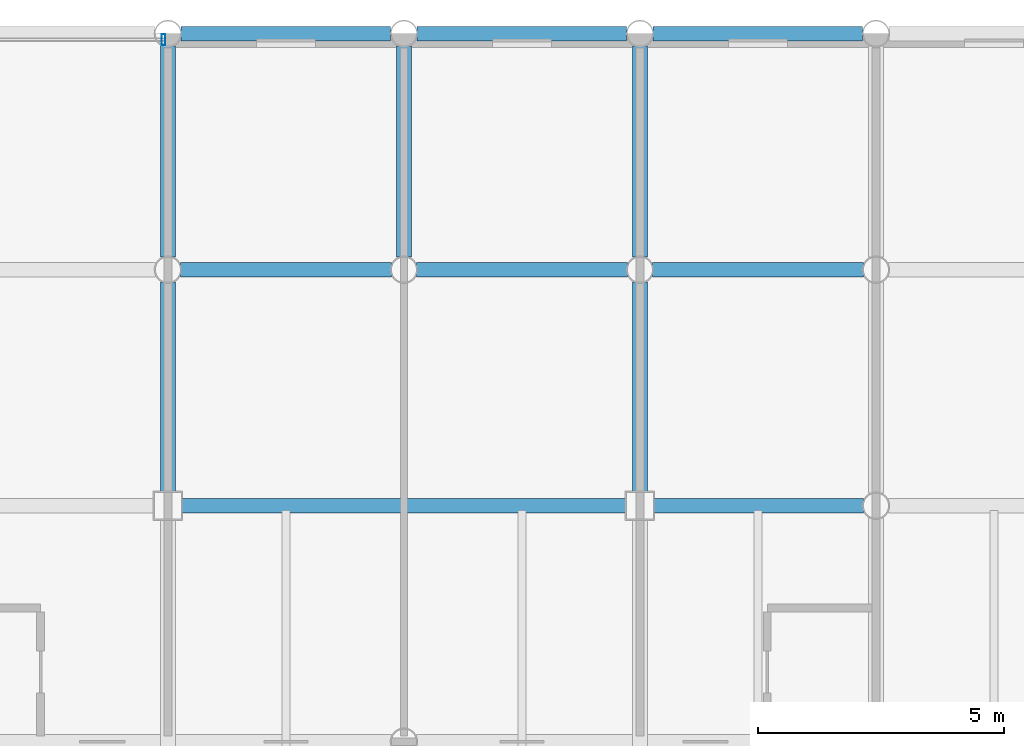
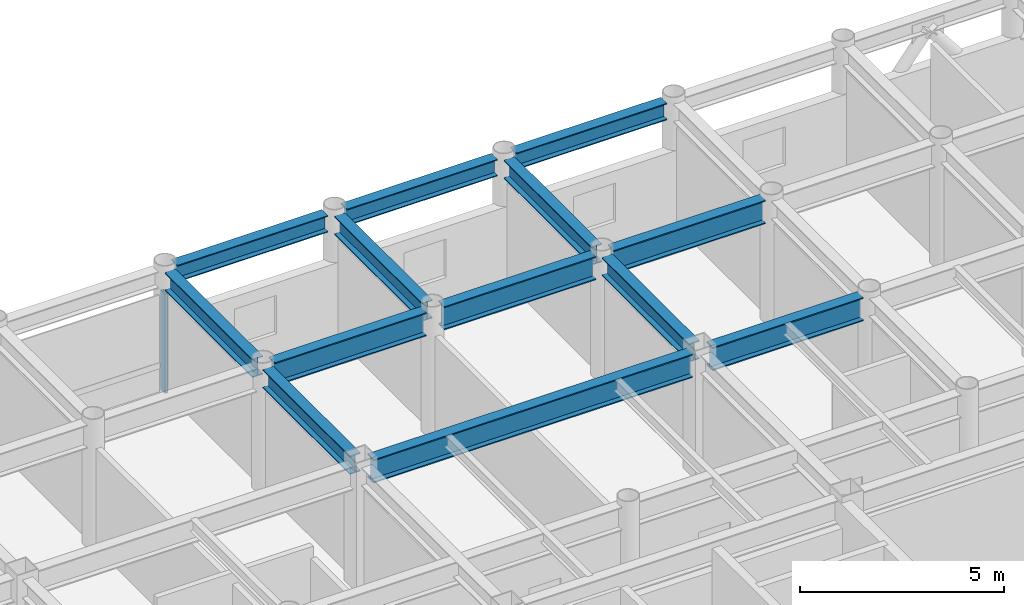
# One storey, part 15 of 23: 13 beams, 1 member, 1 element without a shape of its own.
"""IFC4 building model written with IfcOpenShell, lengths in metres."""

import ifcopenshell
import ifcopenshell.guid

model = None  # the IFC model being written
_history = None  # IfcOwnerHistory: only IFC2X3 demands one
_inside = {}  # id of a spatial element -> (the spatial element, [elements in it])
_under = {}  # id of a project, library or spatial element -> (it, [spatial elements below it])
_declared = {}  # id of a project -> (the project, [libraries it declares])
_typed = {}  # id of a type object -> (the type object, [elements of that type])
_made_of = {}  # id of a material, layer set ... -> (it, [elements and type objects made of it])


def new_model(schema):
    """Start an empty IFC model of exactly this schema.

    Asked for "IFC4X3", IfcOpenShell would pick the latest addendum, in which some entities
    have other attributes; the version numbers below select the first issue.
    IFC2X3 requires an IfcOwnerHistory on every rooted entity: one is made here for all.
    """
    global model, _history
    if schema == "IFC4X3":
        model = ifcopenshell.file(schema_version=(4, 3, 0, 0))
    else:
        model = ifcopenshell.file(schema=schema)
    _inside.clear()
    _under.clear()
    _declared.clear()
    _typed.clear()
    _made_of.clear()
    _history = None
    if model.schema == "IFC2X3":
        org = make("IfcOrganization", Name="unknown")
        user = make(
            "IfcPersonAndOrganization",
            ThePerson=make("IfcPerson", FamilyName="unknown"),
            TheOrganization=org,
        )
        app = make(
            "IfcApplication",
            ApplicationDeveloper=org,
            Version="unknown",
            ApplicationFullName="unknown",
            ApplicationIdentifier="unknown",
        )
        _history = make(
            "IfcOwnerHistory",
            OwningUser=user,
            OwningApplication=app,
            ChangeAction="ADDED",
            CreationDate=0,
        )
    return model


def make(cls, **values):
    """One entity of the class cls with the attributes given. An attribute that is None is left unset."""
    return model.create_entity(
        cls, **{name: value for name, value in values.items() if value is not None}
    )


def rooted(cls, **values):
    """An entity with a GlobalId (a new one), such as an element, a storey or a relation."""
    return make(cls, GlobalId=ifcopenshell.guid.new(), OwnerHistory=_history, **values)


def si_unit(unit_type, name, prefix=None):
    """IfcSIUnit, for example si_unit("LENGTHUNIT", "METRE", prefix="MILLI")."""
    return make("IfcSIUnit", UnitType=unit_type, Prefix=prefix, Name=name)


def assignment(units):
    """IfcUnitAssignment: the units of a project."""
    return None if units is None else make("IfcUnitAssignment", Units=units)


def point(xyz):
    """IfcCartesianPoint."""
    return None if xyz is None else make("IfcCartesianPoint", Coordinates=xyz)


def direction(xyz):
    """IfcDirection."""
    return None if xyz is None else make("IfcDirection", DirectionRatios=xyz)


def frame(location, z_axis=None, x_axis=None):
    """IfcAxis2Placement3D, a coordinate frame: its origin and axes. An axis left out is left unset."""
    return make(
        "IfcAxis2Placement3D",
        Location=point(location),
        Axis=direction(z_axis),
        RefDirection=direction(x_axis),
    )


def frame_2d(location, x_axis=None):
    """IfcAxis2Placement2D, a coordinate frame in the plane: its origin and x axis."""
    return make(
        "IfcAxis2Placement2D", Location=point(location), RefDirection=direction(x_axis)
    )


def origin():
    """The frame at (0, 0, 0) with its axes left unset."""
    return frame((0.0, 0.0, 0.0))


def origin_2d():
    """The frame at (0, 0) in the plane with its x axis left unset."""
    return frame_2d((0.0, 0.0))


def place(relative_to, where):
    """IfcLocalPlacement: puts the frame where relative to a parent placement (None: the world)."""
    return make(
        "IfcLocalPlacement", PlacementRelTo=relative_to, RelativePlacement=where
    )


def context(
    kind, dimensions, precision=None, world=None, true_north=None, identifier=None
):
    """IfcGeometricRepresentationContext, for example the 3D "Model" context."""
    return make(
        "IfcGeometricRepresentationContext",
        ContextIdentifier=identifier,
        ContextType=kind,
        CoordinateSpaceDimension=dimensions,
        Precision=precision,
        WorldCoordinateSystem=world,
        TrueNorth=true_north,
    )


def subcontext(parent, identifier, kind, view, scale=None):
    """IfcGeometricRepresentationSubContext, for example "Body" below "Model"."""
    return make(
        "IfcGeometricRepresentationSubContext",
        ContextIdentifier=identifier,
        ContextType=kind,
        ParentContext=parent,
        TargetScale=scale,
        TargetView=view,
    )


def project(units=None, contexts=None):
    """IfcProject with its units and contexts."""
    return rooted(
        "IfcProject",
        Name="project",
        RepresentationContexts=contexts,
        UnitsInContext=assignment(units),
    )


def spatial(cls, under=None, at=None, **own):
    """A site, building, storey or space (cls), placed at a placement, below another one or the project."""
    s = rooted(cls, ObjectPlacement=at, **own)
    if under is not None:
        _under.setdefault(under.id(), (under, []))[1].append(s)
    return s


def profile(cls, at=None, kind="AREA", **sizes):
    """A parametric profile (cls). Its sizes go by their IFC names, for example OverallWidth=200.0."""
    return make(cls, ProfileType=kind, Position=at, **sizes)


def hollow_rectangle(**sizes):
    """IfcRectangleHollowProfileDef."""
    return profile("IfcRectangleHollowProfileDef", **sizes)


def i_section(**sizes):
    """IfcIShapeProfileDef."""
    return profile("IfcIShapeProfileDef", **sizes)


def extrude(swept, where, along, depth):
    """IfcExtrudedAreaSolid: the profile swept, set in the frame where, extruded along a direction by depth."""
    return make(
        "IfcExtrudedAreaSolid",
        SweptArea=swept,
        Position=where,
        ExtrudedDirection=direction(along),
        Depth=depth,
    )


def shape(context_of_items, identifier, shape_type, items):
    """IfcShapeRepresentation: the items that make up one representation, for example the "Body"."""
    return make(
        "IfcShapeRepresentation",
        ContextOfItems=context_of_items,
        RepresentationIdentifier=identifier,
        RepresentationType=shape_type,
        Items=items,
    )


def material(Name=None, Category=None):
    """IfcMaterial."""
    return make("IfcMaterial", Name=Name, Category=Category)


def layer(
    of_material, thickness, ventilated=None, Name=None, Category=None, Priority=None
):
    """IfcMaterialLayer: one layer of a wall or slab, of a material (None: an air gap)."""
    return make(
        "IfcMaterialLayer",
        Material=of_material,
        LayerThickness=thickness,
        IsVentilated=ventilated,
        Name=Name,
        Category=Category,
        Priority=Priority,
    )


def layer_set(layers, Name=None):
    """IfcMaterialLayerSet."""
    return make("IfcMaterialLayerSet", MaterialLayers=layers, LayerSetName=Name)


def material_profile(
    of_material, cross_section, Name=None, Category=None, Priority=None
):
    """IfcMaterialProfile: a cross section and its material."""
    return make(
        "IfcMaterialProfile",
        Name=Name,
        Material=of_material,
        Profile=cross_section,
        Priority=Priority,
        Category=Category,
    )


def profile_set(profiles, Name=None, composite=None):
    """IfcMaterialProfileSet."""
    return make(
        "IfcMaterialProfileSet",
        Name=Name,
        MaterialProfiles=profiles,
        CompositeProfile=composite,
    )


def made_of(thing, what):
    """Note that an element or type object is made of a material, layer set ...; save() writes the relation."""
    if what is not None:
        _made_of.setdefault(what.id(), (what, []))[1].append(thing)
    return thing


def type_object(cls, material=None, **own):
    """A type object (cls), such as IfcWallType, which elements share."""
    return made_of(rooted(cls, **own), material)


def element(
    cls,
    number,
    at=None,
    inside=None,
    cuts=None,
    type_object=None,
    material=None,
    context=None,
    identifier="Body",
    shape_type=None,
    held_by="IfcProductDefinitionShape",
    body=None,
    shapes=None,
    **own,
):
    """One element of the class cls, such as IfcWall. Its Tag is "e" and its number.

    at: its placement. inside: the storey or other place that contains it. cuts: it is an
    opening in that element (IfcRelVoidsElement). A single representation is given by context,
    identifier, shape_type and body (its items); several are given by shapes. held_by: the class
    of the entity that holds the representations. save() writes the other relations.
    """
    e = rooted(cls, Tag="e%d" % number, ObjectPlacement=at, **own)
    if body is not None:
        shapes = [shape(context, identifier, shape_type, body)]
    if shapes is not None:
        e.Representation = make(held_by, Representations=shapes)
    if inside is not None:
        _inside.setdefault(inside.id(), (inside, []))[1].append(e)
    if cuts is not None:
        rooted(
            "IfcRelVoidsElement", RelatingBuildingElement=cuts, RelatedOpeningElement=e
        )
    if type_object is not None:
        _typed.setdefault(type_object.id(), (type_object, []))[1].append(e)
    return made_of(e, material)


def aggregate(whole, parts):
    """IfcRelAggregates: a whole, such as a stair, and the parts it consists of."""
    return rooted("IfcRelAggregates", RelatingObject=whole, RelatedObjects=parts)


def save(model, path):
    """Write the relations noted so far, then the file.

    IfcRelAggregates (storeys below a building ...), IfcRelContainedInSpatialStructure (elements
    in a storey), IfcRelDefinesByType, IfcRelAssociatesMaterial and IfcRelDeclares: one each for
    every whole, place, type object, material and project.
    """
    for whole, parts in _under.values():
        aggregate(whole, parts)
    for where, things in _inside.values():
        rooted(
            "IfcRelContainedInSpatialStructure",
            RelatedElements=things,
            RelatingStructure=where,
        )
    for kind, things in _typed.values():
        rooted("IfcRelDefinesByType", RelatedObjects=things, RelatingType=kind)
    for what, things in _made_of.values():
        rooted("IfcRelAssociatesMaterial", RelatedObjects=things, RelatingMaterial=what)
    for by, libraries in _declared.values():
        rooted("IfcRelDeclares", RelatingContext=by, RelatedDefinitions=libraries)
    model.write(path)


model = new_model("IFC4")

# Units and contexts
model_context = context("Model", 3, precision=1e-05, world=origin(), true_north=direction((0.0, 1.0)))
body_context = subcontext(model_context, "Body", "Model", "MODEL_VIEW")
ifc_project = project(units=[si_unit("LENGTHUNIT", "METRE"), si_unit("AREAUNIT", "SQUARE_METRE"), si_unit("VOLUMEUNIT", "CUBIC_METRE"), si_unit("PLANEANGLEUNIT", "RADIAN"), si_unit("MASSUNIT", "GRAM", prefix="KILO")], contexts=[model_context])

# Site, building, storey
site_placement = place(None, origin())
site = spatial("IfcSite", under=ifc_project, at=site_placement, CompositionType="ELEMENT")
building_placement = place(site_placement, origin())
building = spatial("IfcBuilding", under=site, at=building_placement, Name="Kallvorn Hotel Tower", CompositionType="ELEMENT")
storey_placement = place(building_placement, frame((0.0, 0.0, 237.699951171875)))
storey = spatial("IfcBuildingStorey", under=building, at=storey_placement, Name="L59", CompositionType="ELEMENT", Elevation=237.699951171875)

# Beams
ifc_material_1 = material(Name="Structural steel S355JR", Category="steel")
ifc_material_profile_1 = material_profile(ifc_material_1, i_section(OverallWidth=0.300048828125, OverallDepth=0.5, WebThickness=0.014404296875, FlangeThickness=0.028076171875, at=origin_2d()), Name="HE 500 B")
ifc_profile_set_1 = profile_set([ifc_material_profile_1], Name="Structural steel S355JR")
beam_type_1 = type_object("IfcBeamType", Name="BM_HE500B", PredefinedType="SPANDREL", material=ifc_profile_set_1)
beam_1_placement = place(storey_placement, frame((5.069580078125, 24.0, 3.420166015625), z_axis=(1.0, 0.0, 0.0), x_axis=(0.0, 1.0, 0.0)))
element("IfcBeam", 1, at=beam_1_placement, inside=storey, type_object=beam_type_1, Name="L60 Perimeter Spandrel 169", PredefinedType="SPANDREL", context=body_context, shape_type="SweptSolid", body=[
    extrude(i_section(OverallWidth=0.300048828125, OverallDepth=0.5, WebThickness=0.014404296875, FlangeThickness=0.028076171875, at=origin_2d()), origin(), (0.0, 0.0, 1.0), 4.260986328125),
])
beam_2_placement = place(storey_placement, frame((9.869384765625, 24.0, 3.420166015625), z_axis=(1.0, 0.0, 0.0), x_axis=(0.0, 1.0, 0.0)))
element("IfcBeam", 2, at=beam_2_placement, inside=storey, type_object=beam_type_1, Name="L60 Perimeter Spandrel 170", PredefinedType="SPANDREL", context=body_context, shape_type="SweptSolid", body=[
    extrude(i_section(OverallWidth=0.300048828125, OverallDepth=0.5, WebThickness=0.014404296875, FlangeThickness=0.028076171875, at=origin_2d()), origin(), (0.0, 0.0, 1.0), 4.26123046875),
])
beam_3_placement = place(storey_placement, frame((14.66943359375, 24.0, 3.420166015625), z_axis=(1.0, 0.0, 0.0), x_axis=(0.0, 1.0, 0.0)))
element("IfcBeam", 3, at=beam_3_placement, inside=storey, type_object=beam_type_1, Name="L60 Perimeter Spandrel 171", PredefinedType="SPANDREL", context=body_context, shape_type="SweptSolid", body=[
    extrude(i_section(OverallWidth=0.300048828125, OverallDepth=0.5, WebThickness=0.014404296875, FlangeThickness=0.028076171875, at=origin_2d()), origin(), (0.0, 0.0, 1.0), 4.260986328125),
])
ifc_material_2 = material(Name="Structural steel S355JR", Category="steel")
ifc_material_profile_2 = material_profile(ifc_material_2, i_section(OverallWidth=0.300048828125, OverallDepth=0.550048828125, WebThickness=0.014892578125, FlangeThickness=0.029052734375, at=origin_2d()), Name="HE 550 B")
ifc_profile_set_2 = profile_set([ifc_material_profile_2], Name="Structural steel S355JR")
beam_type_2 = type_object("IfcBeamType", Name="BM_HE550B", PredefinedType="SPANDREL", material=ifc_profile_set_2)
beam_4_placement = place(storey_placement, frame((4.800048828125, 14.675048828125, 3.39501953125), z_axis=(0.0, 1.0, 0.0), x_axis=(-1.0, 0.0, 0.0)))
element("IfcBeam", 4, at=beam_4_placement, inside=storey, type_object=beam_type_2, Name="L60 Primary Y-Girder 116", PredefinedType="SPANDREL", context=body_context, shape_type="SweptSolid", body=[
    extrude(i_section(OverallWidth=0.300048828125, OverallDepth=0.550048828125, WebThickness=0.014892578125, FlangeThickness=0.029052734375, at=origin_2d()), origin(), (0.0, 0.0, 1.0), 4.2705078125),
])
for number, where, z_axis, x_axis, name in (
    (5, (4.800048828125, 19.45458984375, 3.39501953125), (0.0, 1.0, 0.0), (-1.0, 0.0, 0.0), "L60 Primary Y-Girder 117"),
    (6, (9.60009765625, 19.45458984375, 3.39501953125), (0.0, 1.0, 0.0), (-1.0, 0.0, 0.0), "L60 Primary Y-Girder 120"),
):
    element("IfcBeam", number, at=place(storey_placement, frame(where, z_axis=z_axis, x_axis=x_axis)), inside=storey, type_object=beam_type_2, Name=name, PredefinedType="SPANDREL", context=body_context, shape_type="SweptSolid", body=[
        extrude(i_section(OverallWidth=0.300048828125, OverallDepth=0.550048828125, WebThickness=0.014892578125, FlangeThickness=0.029052734375, at=origin_2d()), origin(), (0.0, 0.0, 1.0), 4.291015625),
    ])
beam_5_placement = place(storey_placement, frame((14.39990234375, 14.675048828125, 3.39501953125), z_axis=(0.0, 1.0, 0.0), x_axis=(-1.0, 0.0, 0.0)))
element("IfcBeam", 7, at=beam_5_placement, inside=storey, type_object=beam_type_2, Name="L60 Primary Y-Girder 124", PredefinedType="SPANDREL", context=body_context, shape_type="SweptSolid", body=[
    extrude(i_section(OverallWidth=0.300048828125, OverallDepth=0.550048828125, WebThickness=0.014892578125, FlangeThickness=0.029052734375, at=origin_2d()), origin(), (0.0, 0.0, 1.0), 4.2705078125),
])
beam_6_placement = place(storey_placement, frame((14.39990234375, 19.45458984375, 3.39501953125), z_axis=(0.0, 1.0, 0.0), x_axis=(-1.0, 0.0, 0.0)))
element("IfcBeam", 8, at=beam_6_placement, inside=storey, type_object=beam_type_2, Name="L60 Primary Y-Girder 125", PredefinedType="SPANDREL", context=body_context, shape_type="SweptSolid", body=[
    extrude(i_section(OverallWidth=0.300048828125, OverallDepth=0.550048828125, WebThickness=0.014892578125, FlangeThickness=0.029052734375, at=origin_2d()), origin(), (0.0, 0.0, 1.0), 4.291015625),
])
ifc_material_3 = material(Name="Structural steel S355JR", Category="steel")
ifc_material_profile_3 = material_profile(ifc_material_3, i_section(OverallWidth=0.300048828125, OverallDepth=0.699951171875, WebThickness=0.01708984375, FlangeThickness=0.031982421875, at=origin_2d()), Name="HE 700 B")
ifc_profile_set_3 = profile_set([ifc_material_profile_3], Name="Structural steel S355JR")
beam_type_3 = type_object("IfcBeamType", Name="BM_HE700B", PredefinedType="BEAM", material=ifc_profile_set_3)
beam_7_placement = place(storey_placement, frame((5.074951171875, 14.39990234375, 3.320068359375), z_axis=(1.0, 0.0, 0.0), x_axis=(0.0, 1.0, 0.0)))
element("IfcBeam", 9, at=beam_7_placement, inside=storey, type_object=beam_type_3, Name="L60 Primary X-Girder 55", PredefinedType="BEAM", context=body_context, shape_type="SweptSolid", body=[
    extrude(i_section(OverallWidth=0.300048828125, OverallDepth=0.699951171875, WebThickness=0.01708984375, FlangeThickness=0.031982421875, at=origin_2d()), origin(), (0.0, 0.0, 1.0), 9.050048828125),
])
beam_8_placement = place(storey_placement, frame((14.675048828125, 14.39990234375, 3.320068359375), z_axis=(1.0, 0.0, 0.0), x_axis=(0.0, 1.0, 0.0)))
element("IfcBeam", 10, at=beam_8_placement, inside=storey, type_object=beam_type_3, Name="L60 Primary X-Girder 56", PredefinedType="BEAM", context=body_context, shape_type="SweptSolid", body=[
    extrude(i_section(OverallWidth=0.300048828125, OverallDepth=0.699951171875, WebThickness=0.01708984375, FlangeThickness=0.031982421875, at=origin_2d()), origin(), (0.0, 0.0, 1.0), 4.2705078125),
])
for number, where, z_axis, x_axis, name in (
    (11, (5.054443359375, 19.199951171875, 3.320068359375), (1.0, 0.0, 0.0), (0.0, 1.0, 0.0), "L60 Primary X-Girder 67"),
    (12, (9.8544921875, 19.199951171875, 3.320068359375), (1.0, 0.0, 0.0), (0.0, 1.0, 0.0), "L60 Primary X-Girder 68"),
    (13, (14.654541015625, 19.199951171875, 3.320068359375), (1.0, 0.0, 0.0), (0.0, 1.0, 0.0), "L60 Primary X-Girder 69"),
):
    element("IfcBeam", number, at=place(storey_placement, frame(where, z_axis=z_axis, x_axis=x_axis)), inside=storey, type_object=beam_type_3, Name=name, PredefinedType="BEAM", context=body_context, shape_type="SweptSolid", body=[
        extrude(i_section(OverallWidth=0.300048828125, OverallDepth=0.699951171875, WebThickness=0.01708984375, FlangeThickness=0.031982421875, at=origin_2d()), origin(), (0.0, 0.0, 1.0), 4.291015625),
    ])

# Curtain wall, member
ifc_material_4 = material(Name="Thermally broken black-anodised aluminium AA 6063-T6", Category="aluminium")
ifc_layer = layer(ifc_material_4, 0.22998046875)
ifc_layer_set = layer_set([ifc_layer], Name="CW_SYS_5_HOTEL_HIGH")
curtain_wall_type = type_object("IfcCurtainWallType", Name="CW_SYS_5_HOTEL_HIGH", PredefinedType="USERDEFINED", material=ifc_layer_set)
curtain_wall_placement = place(storey_placement, origin())
curtain_wall = element("IfcCurtainWall", 14, at=curtain_wall_placement, inside=storey, type_object=curtain_wall_type, Name="L59 Dark-Glass Curtain Wall CW-L59-NC", ObjectType="UNITISED CURTAIN WALL", PredefinedType="USERDEFINED")
ifc_material_5 = material(Name="Thermally broken black-anodised aluminium AA 6063-T6", Category="aluminium")
ifc_material_profile_4 = material_profile(ifc_material_5, hollow_rectangle(XDim=0.080078125, YDim=0.219970703125, WallThickness=0.0048828125, at=origin_2d()), Name="MUL 220x80")
ifc_profile_set_4 = profile_set([ifc_material_profile_4], Name="Thermally broken black-anodised aluminium AA 6063-T6")
member_type = type_object("IfcMemberType", Name="CW_MULLION_220x80", PredefinedType="MULLION", material=ifc_profile_set_4)
member_placement = place(storey_placement, frame((4.7099609375, 23.8798828125, 0.02001953125), z_axis=(0.0, 0.0, 1.0), x_axis=(1.0, 0.0, 0.0)))
member = element("IfcMember", 15, at=member_placement, type_object=member_type, Name="CW-L59-NC Mullion 02", PredefinedType="MULLION", context=body_context, shape_type="SweptSolid", body=[
    extrude(hollow_rectangle(XDim=0.080078125, YDim=0.219970703125, WallThickness=0.0048828125, at=origin_2d()), origin(), (0.0, 0.0, 1.0), 2.97998046875),
])
aggregate(curtain_wall, [member])

save(model, "model.ifc")
